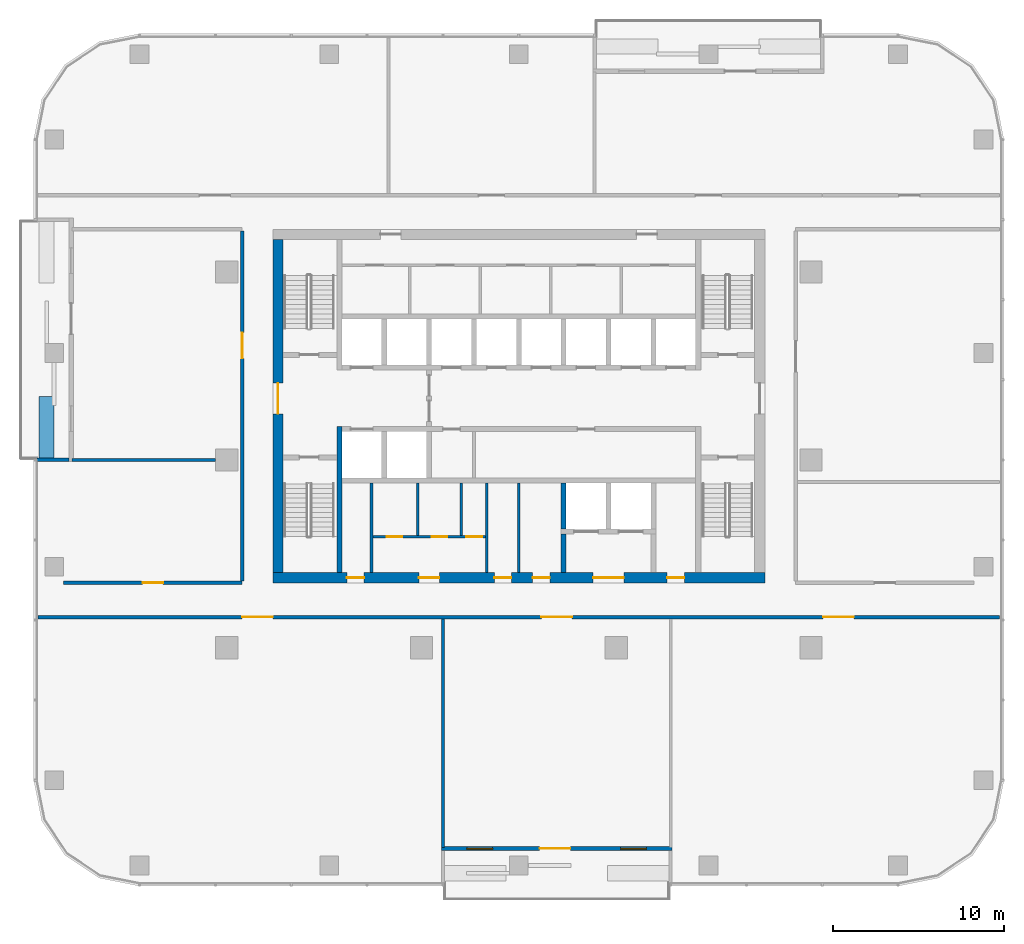
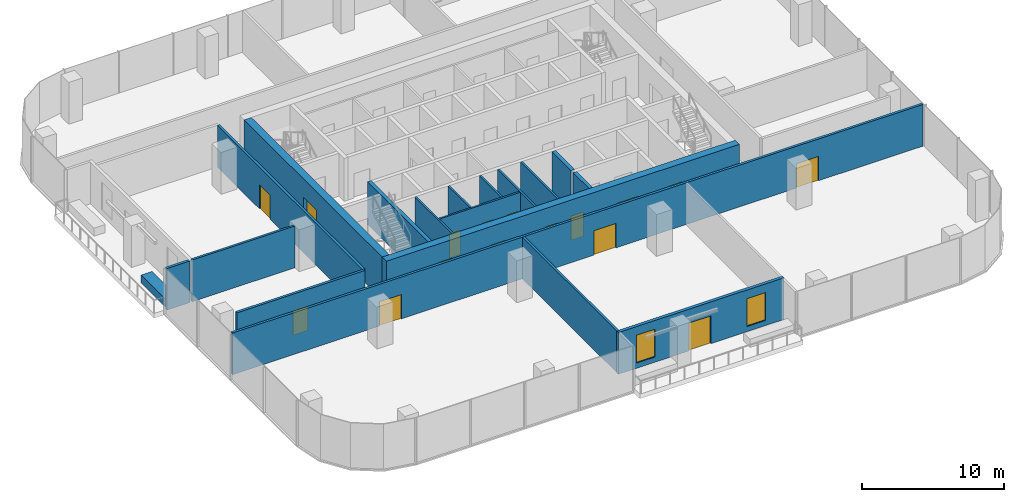
# One storey, part 7 of 14: 19 walls, 16 doors, 2 windows, 18 openings.
"""IFC4 building model written with IfcOpenShell, lengths in metres."""

from ifc_helpers import new_model, si_unit, direction, frame, frame_2d, origin, place, context, subcontext, project, spatial, rectangle, extrude, material, layer, layer_set, type_object, element, fill, save


model = new_model("IFC4")

# Units and contexts
model_context = context("Model", 3, precision=1e-05, world=origin(), true_north=direction((0.0, 1.0)))
body_context = subcontext(model_context, "Body", "Model", "MODEL_VIEW")
ifc_project = project(units=[si_unit("LENGTHUNIT", "METRE"), si_unit("AREAUNIT", "SQUARE_METRE"), si_unit("VOLUMEUNIT", "CUBIC_METRE"), si_unit("PLANEANGLEUNIT", "RADIAN"), si_unit("MASSUNIT", "GRAM", prefix="KILO")], contexts=[model_context])

# Site, building, storey
site_placement = place(None, origin())
site = spatial("IfcSite", under=ifc_project, at=site_placement, CompositionType="ELEMENT")
building_placement = place(site_placement, origin())
building = spatial("IfcBuilding", under=site, at=building_placement, Name="Mopane Tessera Tower", CompositionType="ELEMENT")
storey_placement = place(building_placement, frame((0.0, 0.0, 239.0)))
storey = spatial("IfcBuildingStorey", under=building, at=storey_placement, Name="L51", CompositionType="ELEMENT", Elevation=239.0)

# Wall
ifc_material_1 = material(Name="Fire-rated gypsum board partition")
ifc_layer_1 = layer(ifc_material_1, 0.14990234375)
ifc_layer_set_1 = layer_set([ifc_layer_1], Name="Fire-rated gypsum board partition")
wall_type_1 = type_object("IfcWallType", Name="Core room partition 150 mm", PredefinedType="PARTITIONING", material=ifc_layer_set_1)
wall_1_placement = place(storey_placement, frame((-8.625, -6.60009765625, 0.0), z_axis=(0.0, 0.0, 1.0), x_axis=(0.0, 1.0, 0.0)))
element("IfcWall", 1, at=wall_1_placement, inside=storey, type_object=wall_type_1, Name="L51 Room partition", PredefinedType="PARTITIONING", context=body_context, shape_type="SweptSolid", body=[
    extrude(rectangle(XDim=5.25, YDim=0.14990234375, at=frame_2d((2.625, 0.0))), origin(), (0.0, 0.0, 1.0), 3.699951171875),
])

# Wall, openings, doors
wall_2_placement = place(storey_placement, frame((-8.550048828125, -4.5, 0.0), z_axis=(0.0, 0.0, 1.0), x_axis=(1.0, 0.0, 0.0)))
wall_2 = element("IfcWall", 2, at=wall_2_placement, inside=storey, type_object=wall_type_1, Name="L51 WC partition", PredefinedType="PARTITIONING", context=body_context, shape_type="SweptSolid", body=[
    extrude(rectangle(XDim=6.60009765625, YDim=0.14990234375, at=frame_2d((3.300048828125, 0.0))), origin(), (0.0, 0.0, 1.0), 3.699951171875),
])
opening_1_placement = place(wall_2_placement, frame((0.824951171875, 0.0, 0.0)))
opening_1 = element("IfcOpeningElement", 3, at=opening_1_placement, cuts=wall_2, Name="Opening WD1", PredefinedType="OPENING", context=body_context, shape_type="SweptSolid", body=[
    extrude(rectangle(XDim=0.89990234375, YDim=2.10009765625, at=frame_2d((0.449951171875, 1.050048828125))), frame((0.0, 0.0869140625, 0.0), z_axis=(0.0, -1.0, 0.0), x_axis=(1.0, 0.0, 0.0)), (0.0, 0.0, 1.0), 0.173828125),
])
opening_2_placement = place(wall_2_placement, frame((3.45751953125, 0.0, 0.0)))
opening_2 = element("IfcOpeningElement", 4, at=opening_2_placement, cuts=wall_2, Name="Opening WD1", PredefinedType="OPENING", context=body_context, shape_type="SweptSolid", body=[
    extrude(rectangle(XDim=0.89990234375, YDim=2.10009765625, at=frame_2d((0.449951171875, 1.050048828125))), frame((0.0, 0.0869140625, 0.0), z_axis=(0.0, -1.0, 0.0), x_axis=(1.0, 0.0, 0.0)), (0.0, 0.0, 1.0), 0.173828125),
])
opening_3_placement = place(wall_2_placement, frame((5.45751953125, 0.0, 0.0)))
opening_3 = element("IfcOpeningElement", 5, at=opening_3_placement, cuts=wall_2, Name="Opening WD2", PredefinedType="OPENING", context=body_context, shape_type="SweptSolid", body=[
    extrude(rectangle(XDim=0.949951171875, YDim=2.10009765625, at=frame_2d((0.47509765625, 1.050048828125))), frame((0.0, 0.0869140625, 0.0), z_axis=(0.0, -1.0, 0.0), x_axis=(1.0, 0.0, 0.0)), (0.0, 0.0, 1.0), 0.173828125),
])
ifc_material_2 = material(Name="Timber door", Category="wood")
door_type_1 = type_object("IfcDoorType", Name="Accessible WC door 950 x 2100", OperationType="SINGLE_SWING_LEFT", PredefinedType="DOOR", material=ifc_material_2)
door_1_placement = place(opening_3_placement, origin())
door_1 = element("IfcDoor", 6, at=door_1_placement, inside=storey, type_object=door_type_1, Name="L51 Accessible WC door", OperationType="SINGLE_SWING_LEFT", OverallHeight=2.10009765625, OverallWidth=0.949951171875, PredefinedType="DOOR", context=body_context, shape_type="SweptSolid", body=[
    extrude(rectangle(XDim=0.949951171875, YDim=2.10009765625, at=frame_2d((0.47509765625, 1.050048828125))), frame((0.0, 0.02490234375, 0.0), z_axis=(0.0, -1.0, 0.0), x_axis=(1.0, 0.0, 0.0)), (0.0, 0.0, 1.0), 0.050048828125),
])
fill(opening_3, door_1)
ifc_material_3 = material(Name="Timber door", Category="wood")
door_type_2 = type_object("IfcDoorType", Name="WC cubicle door 900 x 2100", OperationType="SINGLE_SWING_LEFT", PredefinedType="DOOR", material=ifc_material_3)
door_2_placement = place(opening_1_placement, origin())
door_2 = element("IfcDoor", 7, at=door_2_placement, inside=storey, type_object=door_type_2, Name="L51 Men's WC door", OperationType="SINGLE_SWING_LEFT", OverallHeight=2.10009765625, OverallWidth=0.89990234375, PredefinedType="DOOR", context=body_context, shape_type="SweptSolid", body=[
    extrude(rectangle(XDim=0.89990234375, YDim=2.10009765625, at=frame_2d((0.449951171875, 1.050048828125))), frame((0.0, 0.02490234375, 0.0), z_axis=(0.0, -1.0, 0.0), x_axis=(1.0, 0.0, 0.0)), (0.0, 0.0, 1.0), 0.050048828125),
])
fill(opening_1, door_2)
door_3_placement = place(opening_2_placement, origin())
door_3 = element("IfcDoor", 8, at=door_3_placement, inside=storey, type_object=door_type_2, Name="L51 Women's WC door", OperationType="SINGLE_SWING_LEFT", OverallHeight=2.10009765625, OverallWidth=0.89990234375, PredefinedType="DOOR", context=body_context, shape_type="SweptSolid", body=[
    extrude(rectangle(XDim=0.89990234375, YDim=2.10009765625, at=frame_2d((0.449951171875, 1.050048828125))), frame((0.0, 0.02490234375, 0.0), z_axis=(0.0, -1.0, 0.0), x_axis=(1.0, 0.0, 0.0)), (0.0, 0.0, 1.0), 0.050048828125),
])
fill(opening_2, door_3)

# Walls
for number, where, z_axis, x_axis, name in (
    (9, (-5.925048828125, -4.425048828125, 0.0), (0.0, 0.0, 1.0), (0.0, 1.0, 0.0), "L51 WC partition"),
    (10, (-3.360107421875, -4.425048828125, 0.0), (0.0, 0.0, 1.0), (0.0, 1.0, 0.0), "L51 WC partition"),
):
    element("IfcWall", number, at=place(storey_placement, frame(where, z_axis=z_axis, x_axis=x_axis)), inside=storey, type_object=wall_type_1, Name=name, PredefinedType="PARTITIONING", context=body_context, shape_type="SweptSolid", body=[
        extrude(rectangle(XDim=3.074951171875, YDim=0.14990234375, at=frame_2d((1.53759765625, 0.0))), origin(), (0.0, 0.0, 1.0), 3.699951171875),
    ])
for number, where, z_axis, x_axis, name in (
    (11, (-1.875, -6.60009765625, 0.0), (0.0, 0.0, 1.0), (0.0, 1.0, 0.0), "L51 Room partition"),
    (12, (0.0, -6.60009765625, 0.0), (0.0, 0.0, 1.0), (0.0, 1.0, 0.0), "L51 Room partition"),
):
    element("IfcWall", number, at=place(storey_placement, frame(where, z_axis=z_axis, x_axis=x_axis)), inside=storey, type_object=wall_type_1, Name=name, PredefinedType="PARTITIONING", context=body_context, shape_type="SweptSolid", body=[
        extrude(rectangle(XDim=5.25, YDim=0.14990234375, at=frame_2d((2.625, 0.0))), origin(), (0.0, 0.0, 1.0), 3.699951171875),
    ])

# Wall, openings, doors
ifc_material_4 = material(Name="Concrete C70/85", Category="concrete")
ifc_layer_2 = layer(ifc_material_4, 0.60009765625)
ifc_layer_set_2 = layer_set([ifc_layer_2], Name="Concrete C70/85")
wall_type_2 = type_object("IfcWallType", Name="Core shear wall 600 mm", PredefinedType="SHEAR", material=ifc_layer_set_2)
wall_3_placement = place(storey_placement, frame((-14.39990234375, -6.89990234375, 0.0), z_axis=(0.0, 0.0, 1.0), x_axis=(1.0, 0.0, 0.0)))
wall_3 = element("IfcWall", 13, at=wall_3_placement, inside=storey, type_object=wall_type_2, Name="L51 Core wall south", PredefinedType="SHEAR", context=body_context, shape_type="SweptSolid", body=[
    extrude(rectangle(XDim=28.7998046875, YDim=0.60009765625, at=frame_2d((14.39990234375, 0.0))), origin(), (0.0, 0.0, 1.0), 3.699951171875),
])
opening_4_placement = place(wall_3_placement, frame((4.33740234375, 0.0, 0.0)))
opening_4 = element("IfcOpeningElement", 14, at=opening_4_placement, cuts=wall_3, Name="Opening RD1", PredefinedType="OPENING", context=body_context, shape_type="SweptSolid", body=[
    extrude(rectangle(XDim=1.0, YDim=2.10009765625, at=frame_2d((0.5, 1.050048828125))), frame((0.0, 0.31201171875, 0.0), z_axis=(0.0, -1.0, 0.0), x_axis=(1.0, 0.0, 0.0)), (0.0, 0.0, 1.0), 0.6240234375),
])
opening_5_placement = place(wall_3_placement, frame((8.550048828125, 0.0, 0.0)))
opening_5 = element("IfcOpeningElement", 15, at=opening_5_placement, cuts=wall_3, Name="Opening WD3", PredefinedType="OPENING", context=body_context, shape_type="SweptSolid", body=[
    extrude(rectangle(XDim=1.199951171875, YDim=2.10009765625, at=frame_2d((0.60009765625, 1.050048828125))), frame((0.0, 0.31201171875, 0.0), z_axis=(0.0, -1.0, 0.0), x_axis=(1.0, 0.0, 0.0)), (0.0, 0.0, 1.0), 0.6240234375),
])
opening_6_placement = place(wall_3_placement, frame((12.96240234375, 0.0, 0.0)))
opening_6 = element("IfcOpeningElement", 16, at=opening_6_placement, cuts=wall_3, Name="Opening RD1", PredefinedType="OPENING", context=body_context, shape_type="SweptSolid", body=[
    extrude(rectangle(XDim=1.0, YDim=2.10009765625, at=frame_2d((0.5, 1.050048828125))), frame((0.0, 0.31201171875, 0.0), z_axis=(0.0, -1.0, 0.0), x_axis=(1.0, 0.0, 0.0)), (0.0, 0.0, 1.0), 0.6240234375),
])
opening_7_placement = place(wall_3_placement, frame((15.21240234375, 0.0, 0.0)))
opening_7 = element("IfcOpeningElement", 17, at=opening_7_placement, cuts=wall_3, Name="Opening RD1", PredefinedType="OPENING", context=body_context, shape_type="SweptSolid", body=[
    extrude(rectangle(XDim=1.0, YDim=2.10009765625, at=frame_2d((0.5, 1.050048828125))), frame((0.0, 0.31201171875, 0.0), z_axis=(0.0, -1.0, 0.0), x_axis=(1.0, 0.0, 0.0)), (0.0, 0.0, 1.0), 0.6240234375),
])
opening_8_placement = place(wall_3_placement, frame((18.75, 0.0, 0.0)))
opening_8 = element("IfcOpeningElement", 18, at=opening_8_placement, cuts=wall_3, Name="Opening SD2", PredefinedType="OPENING", context=body_context, shape_type="SweptSolid", body=[
    extrude(rectangle(XDim=1.800048828125, YDim=2.10009765625, at=frame_2d((0.89990234375, 1.050048828125))), frame((0.0, 0.31201171875, 0.0), z_axis=(0.0, -1.0, 0.0), x_axis=(1.0, 0.0, 0.0)), (0.0, 0.0, 1.0), 0.6240234375),
])
opening_9_placement = place(wall_3_placement, frame((23.08740234375, 0.0, 0.0)))
opening_9 = element("IfcOpeningElement", 19, at=opening_9_placement, cuts=wall_3, Name="Opening RD1", PredefinedType="OPENING", context=body_context, shape_type="SweptSolid", body=[
    extrude(rectangle(XDim=1.0, YDim=2.10009765625, at=frame_2d((0.5, 1.050048828125))), frame((0.0, 0.31201171875, 0.0), z_axis=(0.0, -1.0, 0.0), x_axis=(1.0, 0.0, 0.0)), (0.0, 0.0, 1.0), 0.6240234375),
])
ifc_material_5 = material(Name="Steel fire door", Category="steel")
door_type_3 = type_object("IfcDoorType", Name="Core entrance double door 1800 x 2100", OperationType="DOUBLE_DOOR_SINGLE_SWING", PredefinedType="DOOR", material=ifc_material_5)
door_4_placement = place(opening_8_placement, origin())
door_4 = element("IfcDoor", 20, at=door_4_placement, inside=storey, type_object=door_type_3, Name="L51 Service lobby door", OperationType="DOUBLE_DOOR_SINGLE_SWING", OverallHeight=2.10009765625, OverallWidth=1.800048828125, PredefinedType="DOOR", context=body_context, shape_type="SweptSolid", body=[
    extrude(rectangle(XDim=1.800048828125, YDim=2.10009765625, at=frame_2d((0.89990234375, 1.050048828125))), frame((0.0, 0.02490234375, 0.0), z_axis=(0.0, -1.0, 0.0), x_axis=(1.0, 0.0, 0.0)), (0.0, 0.0, 1.0), 0.050048828125),
])
fill(opening_8, door_4)
ifc_material_6 = material(Name="Timber door", Category="wood")
door_type_4 = type_object("IfcDoorType", Name="Core room door 1000 x 2100", OperationType="SINGLE_SWING_LEFT", PredefinedType="DOOR", material=ifc_material_6)
door_5_placement = place(opening_4_placement, origin())
door_5 = element("IfcDoor", 21, at=door_5_placement, inside=storey, type_object=door_type_4, Name="L51 Room door", OperationType="SINGLE_SWING_LEFT", OverallHeight=2.10009765625, OverallWidth=1.0, PredefinedType="DOOR", context=body_context, shape_type="SweptSolid", body=[
    extrude(rectangle(XDim=1.0, YDim=2.10009765625, at=frame_2d((0.5, 1.050048828125))), frame((0.0, 0.02490234375, 0.0), z_axis=(0.0, -1.0, 0.0), x_axis=(1.0, 0.0, 0.0)), (0.0, 0.0, 1.0), 0.050048828125),
])
fill(opening_4, door_5)
door_6_placement = place(opening_6_placement, origin())
door_6 = element("IfcDoor", 22, at=door_6_placement, inside=storey, type_object=door_type_4, Name="L51 Room door", OperationType="SINGLE_SWING_LEFT", OverallHeight=2.10009765625, OverallWidth=1.0, PredefinedType="DOOR", context=body_context, shape_type="SweptSolid", body=[
    extrude(rectangle(XDim=1.0, YDim=2.10009765625, at=frame_2d((0.5, 1.050048828125))), frame((0.0, 0.02490234375, 0.0), z_axis=(0.0, -1.0, 0.0), x_axis=(1.0, 0.0, 0.0)), (0.0, 0.0, 1.0), 0.050048828125),
])
fill(opening_6, door_6)
door_7_placement = place(opening_7_placement, origin())
door_7 = element("IfcDoor", 23, at=door_7_placement, inside=storey, type_object=door_type_4, Name="L51 Room door", OperationType="SINGLE_SWING_LEFT", OverallHeight=2.10009765625, OverallWidth=1.0, PredefinedType="DOOR", context=body_context, shape_type="SweptSolid", body=[
    extrude(rectangle(XDim=1.0, YDim=2.10009765625, at=frame_2d((0.5, 1.050048828125))), frame((0.0, 0.02490234375, 0.0), z_axis=(0.0, -1.0, 0.0), x_axis=(1.0, 0.0, 0.0)), (0.0, 0.0, 1.0), 0.050048828125),
])
fill(opening_7, door_7)
door_8_placement = place(opening_9_placement, origin())
door_8 = element("IfcDoor", 24, at=door_8_placement, inside=storey, type_object=door_type_4, Name="L51 Room door", OperationType="SINGLE_SWING_LEFT", OverallHeight=2.10009765625, OverallWidth=1.0, PredefinedType="DOOR", context=body_context, shape_type="SweptSolid", body=[
    extrude(rectangle(XDim=1.0, YDim=2.10009765625, at=frame_2d((0.5, 1.050048828125))), frame((0.0, 0.02490234375, 0.0), z_axis=(0.0, -1.0, 0.0), x_axis=(1.0, 0.0, 0.0)), (0.0, 0.0, 1.0), 0.050048828125),
])
fill(opening_9, door_8)
ifc_material_7 = material(Name="Timber door", Category="wood")
door_type_5 = type_object("IfcDoorType", Name="WC lobby door 1200 x 2100", OperationType="SINGLE_SWING_LEFT", PredefinedType="DOOR", material=ifc_material_7)
door_9_placement = place(opening_5_placement, origin())
door_9 = element("IfcDoor", 25, at=door_9_placement, inside=storey, type_object=door_type_5, Name="L51 WC lobby door", OperationType="SINGLE_SWING_LEFT", OverallHeight=2.10009765625, OverallWidth=1.199951171875, PredefinedType="DOOR", context=body_context, shape_type="SweptSolid", body=[
    extrude(rectangle(XDim=1.199951171875, YDim=2.10009765625, at=frame_2d((0.60009765625, 1.050048828125))), frame((0.0, 0.02490234375, 0.0), z_axis=(0.0, -1.0, 0.0), x_axis=(1.0, 0.0, 0.0)), (0.0, 0.0, 1.0), 0.050048828125),
])
fill(opening_5, door_9)

# Wall, opening, door
wall_4_placement = place(storey_placement, frame((-14.10009765625, -6.60009765625, 0.0), z_axis=(0.0, 0.0, 1.0), x_axis=(0.0, 1.0, 0.0)))
wall_4 = element("IfcWall", 26, at=wall_4_placement, inside=storey, type_object=wall_type_2, Name="L51 Core wall west", PredefinedType="SHEAR", context=body_context, shape_type="SweptSolid", body=[
    extrude(rectangle(XDim=19.5, YDim=0.60009765625, at=frame_2d((9.75, 0.0))), origin(), (0.0, 0.0, 1.0), 3.699951171875),
])
opening_10_placement = place(wall_4_placement, frame((9.300048828125, 0.0, 0.0)))
opening_10 = element("IfcOpeningElement", 27, at=opening_10_placement, cuts=wall_4, Name="Opening SD2", PredefinedType="OPENING", context=body_context, shape_type="SweptSolid", body=[
    extrude(rectangle(XDim=1.800048828125, YDim=2.10009765625, at=frame_2d((0.89990234375, 1.050048828125))), frame((0.0, 0.31201171875, 0.0), z_axis=(0.0, -1.0, 0.0), x_axis=(1.0, 0.0, 0.0)), (0.0, 0.0, 1.0), 0.6240234375),
])
door_10_placement = place(opening_10_placement, origin())
door_10 = element("IfcDoor", 28, at=door_10_placement, inside=storey, type_object=door_type_3, Name="L51 Core entrance door west", OperationType="DOUBLE_DOOR_SINGLE_SWING", OverallHeight=2.10009765625, OverallWidth=1.800048828125, PredefinedType="DOOR", context=body_context, shape_type="SweptSolid", body=[
    extrude(rectangle(XDim=1.800048828125, YDim=2.10009765625, at=frame_2d((0.89990234375, 1.050048828125))), frame((0.0, 0.02490234375, 0.0), z_axis=(0.0, -1.0, 0.0), x_axis=(1.0, 0.0, 0.0)), (0.0, 0.0, 1.0), 0.050048828125),
])
fill(opening_10, door_10)

# Walls
ifc_material_8 = material(Name="Concrete C60/75", Category="concrete")
ifc_layer_3 = layer(ifc_material_8, 0.300048828125)
ifc_layer_set_3 = layer_set([ifc_layer_3], Name="Concrete C60/75")
wall_type_3 = type_object("IfcWallType", Name="Core spine wall 300 mm", PredefinedType="SHEAR", material=ifc_layer_set_3)
wall_5_placement = place(storey_placement, frame((-10.5, -6.60009765625, 0.0), z_axis=(0.0, 0.0, 1.0), x_axis=(0.0, 1.0, 0.0)))
element("IfcWall", 29, at=wall_5_placement, inside=storey, type_object=wall_type_3, Name="L51 Core spine wall", PredefinedType="SHEAR", context=body_context, shape_type="SweptSolid", body=[
    extrude(rectangle(XDim=8.550048828125, YDim=0.300048828125, at=frame_2d((4.27490234375, 0.0))), origin(), (0.0, 0.0, 1.0), 3.699951171875),
])
ifc_material_9 = material(Name="Gypsum board on staggered steel studs, double layer each face, acoustic mineral wool infill", Category="steel")
ifc_layer_4 = layer(ifc_material_9, 0.175048828125)
ifc_layer_set_4 = layer_set([ifc_layer_4], Name="Gypsum board on staggered steel studs, double layer each face, acoustic mineral wool infill")
wall_type_4 = type_object("IfcWallType", Name="Gypsum board acoustic partition 175, rated EI 60", PredefinedType="PARTITIONING", material=ifc_layer_set_4)
wall_6_placement = place(storey_placement, frame((-26.14990234375, 0.0, 0.0), z_axis=(0.0, 0.0, 1.0), x_axis=(1.0, 0.0, 0.0)))
element("IfcWall", 30, at=wall_6_placement, inside=storey, type_object=wall_type_4, Name="Partition L51:004", PredefinedType="PARTITIONING", context=body_context, shape_type="SweptSolid", body=[
    extrude(rectangle(XDim=8.39990234375, YDim=0.175048828125, at=frame_2d((4.199951171875, 0.0))), origin(), (0.0, 0.0, 1.0), 3.60009765625),
])
wall_7_placement = place(storey_placement, frame((-4.43994140625, -22.699951171875, 0.0), z_axis=(0.0, 0.0, 1.0), x_axis=(0.0, 1.0, 0.0)))
element("IfcWall", 31, at=wall_7_placement, inside=storey, type_object=wall_type_4, Name="Partition L51:011", PredefinedType="PARTITIONING", context=body_context, shape_type="SweptSolid", body=[
    extrude(rectangle(XDim=13.39990234375, YDim=0.175048828125, at=frame_2d((6.699951171875, 0.0))), origin(), (0.0, 0.0, 1.0), 3.60009765625),
])

# Wall, openings, doors
ifc_material_10 = material(Name="Gypsum board on steel studs, two layers each face, mineral wool infill", Category="steel")
ifc_layer_5 = layer(ifc_material_10, 0.199951171875)
ifc_layer_set_5 = layer_set([ifc_layer_5], Name="Gypsum board on steel studs, two layers each face, mineral wool infill")
wall_type_5 = type_object("IfcWallType", Name="Gypsum board corridor wall 200, rated EI 60", PredefinedType="PARTITIONING", material=ifc_layer_set_5)
wall_8_placement = place(storey_placement, frame((-28.14990234375, -9.199951171875, 0.0), z_axis=(0.0, 0.0, 1.0), x_axis=(1.0, 0.0, 0.0)))
wall_8 = element("IfcWall", 32, at=wall_8_placement, inside=storey, type_object=wall_type_5, Name="Partition L51:000", PredefinedType="PARTITIONING", context=body_context, shape_type="SweptSolid", body=[
    extrude(rectangle(XDim=56.2998046875, YDim=0.199951171875, at=frame_2d((28.14990234375, 0.0))), origin(), (0.0, 0.0, 1.0), 3.60009765625),
])
opening_11_placement = place(wall_8_placement, frame((29.469970703125, 0.0, 0.0)))
opening_11 = element("IfcOpeningElement", 33, at=opening_11_placement, cuts=wall_8, Name="Opening L51-02", PredefinedType="OPENING", context=body_context, shape_type="SweptSolid", body=[
    extrude(rectangle(XDim=1.800048828125, YDim=2.10009765625, at=frame_2d((0.89990234375, 1.050048828125))), frame((0.0, 0.112060546875, 0.0), z_axis=(0.0, -1.0, 0.0), x_axis=(1.0, 0.0, 0.0)), (0.0, 0.0, 1.0), 0.223876953125),
])
opening_12_placement = place(wall_8_placement, frame((45.965087890625, 0.0, 0.0)))
opening_12 = element("IfcOpeningElement", 34, at=opening_12_placement, cuts=wall_8, Name="Opening L51-06", PredefinedType="OPENING", context=body_context, shape_type="SweptSolid", body=[
    extrude(rectangle(XDim=1.800048828125, YDim=2.10009765625, at=frame_2d((0.89990234375, 1.050048828125))), frame((0.0, 0.112060546875, 0.0), z_axis=(0.0, -1.0, 0.0), x_axis=(1.0, 0.0, 0.0)), (0.0, 0.0, 1.0), 0.223876953125),
])
opening_13_placement = place(wall_8_placement, frame((11.955078125, 0.0, 0.0)))
opening_13 = element("IfcOpeningElement", 35, at=opening_13_placement, cuts=wall_8, Name="Opening L51-09", PredefinedType="OPENING", context=body_context, shape_type="SweptSolid", body=[
    extrude(rectangle(XDim=1.800048828125, YDim=2.10009765625, at=frame_2d((0.89990234375, 1.050048828125))), frame((0.0, 0.112060546875, 0.0), z_axis=(0.0, -1.0, 0.0), x_axis=(1.0, 0.0, 0.0)), (0.0, 0.0, 1.0), 0.223876953125),
])
ifc_material_11 = material(Name="Timber veneered steel-framed fire door", Category="steel")
door_type_6 = type_object("IfcDoorType", Name="Fire door pair FD60 1800 x 2100", OperationType="DOUBLE_DOOR_SINGLE_SWING", PredefinedType="DOOR", material=ifc_material_11)
door_11_placement = place(opening_11_placement, origin())
door_11 = element("IfcDoor", 36, at=door_11_placement, inside=storey, type_object=door_type_6, Name="Door L51-02", ObjectType="D20A", OperationType="DOUBLE_DOOR_SINGLE_SWING", OverallHeight=2.10009765625, OverallWidth=1.800048828125, PredefinedType="DOOR", context=body_context, shape_type="SweptSolid", body=[
    extrude(rectangle(XDim=1.800048828125, YDim=2.10009765625, at=frame_2d((0.89990234375, 1.050048828125))), frame((0.0, 0.02490234375, 0.0), z_axis=(0.0, -1.0, 0.0), x_axis=(1.0, 0.0, 0.0)), (0.0, 0.0, 1.0), 0.050048828125),
])
fill(opening_11, door_11)
door_12_placement = place(opening_12_placement, origin())
door_12 = element("IfcDoor", 37, at=door_12_placement, inside=storey, type_object=door_type_6, Name="Door L51-06", ObjectType="D20A", OperationType="DOUBLE_DOOR_SINGLE_SWING", OverallHeight=2.10009765625, OverallWidth=1.800048828125, PredefinedType="DOOR", context=body_context, shape_type="SweptSolid", body=[
    extrude(rectangle(XDim=1.800048828125, YDim=2.10009765625, at=frame_2d((0.89990234375, 1.050048828125))), frame((0.0, 0.02490234375, 0.0), z_axis=(0.0, -1.0, 0.0), x_axis=(1.0, 0.0, 0.0)), (0.0, 0.0, 1.0), 0.050048828125),
])
fill(opening_12, door_12)
door_13_placement = place(opening_13_placement, origin())
door_13 = element("IfcDoor", 38, at=door_13_placement, inside=storey, type_object=door_type_6, Name="Door L51-09", ObjectType="D20A", OperationType="DOUBLE_DOOR_SINGLE_SWING", OverallHeight=2.10009765625, OverallWidth=1.800048828125, PredefinedType="DOOR", context=body_context, shape_type="SweptSolid", body=[
    extrude(rectangle(XDim=1.800048828125, YDim=2.10009765625, at=frame_2d((0.89990234375, 1.050048828125))), frame((0.0, 0.02490234375, 0.0), z_axis=(0.0, -1.0, 0.0), x_axis=(1.0, 0.0, 0.0)), (0.0, 0.0, 1.0), 0.050048828125),
])
fill(opening_13, door_13)

# Wall, opening, door
wall_9_placement = place(storey_placement, frame((-26.64990234375, -7.199951171875, 0.0), z_axis=(0.0, 0.0, 1.0), x_axis=(1.0, 0.0, 0.0)))
wall_9 = element("IfcWall", 39, at=wall_9_placement, inside=storey, type_object=wall_type_5, Name="Partition L51:001", PredefinedType="PARTITIONING", context=body_context, shape_type="SweptSolid", body=[
    extrude(rectangle(XDim=10.449951171875, YDim=0.199951171875, at=frame_2d((5.22509765625, 0.0))), origin(), (0.0, 0.0, 1.0), 3.60009765625),
])
opening_14_placement = place(wall_9_placement, frame((4.625, 0.0, 0.0)))
opening_14 = element("IfcOpeningElement", 40, at=opening_14_placement, cuts=wall_9, Name="Opening L51-08", PredefinedType="OPENING", context=body_context, shape_type="SweptSolid", body=[
    extrude(rectangle(XDim=1.199951171875, YDim=2.10009765625, at=frame_2d((0.60009765625, 1.050048828125))), frame((0.0, 0.112060546875, 0.0), z_axis=(0.0, -1.0, 0.0), x_axis=(1.0, 0.0, 0.0)), (0.0, 0.0, 1.0), 0.223876953125),
])
ifc_material_12 = material(Name="Timber veneered steel-framed fire door", Category="steel")
door_type_7 = type_object("IfcDoorType", Name="Fire door FD60 1200 x 2100", OperationType="SINGLE_SWING_LEFT", PredefinedType="DOOR", material=ifc_material_12)
door_14_placement = place(opening_14_placement, origin())
door_14 = element("IfcDoor", 41, at=door_14_placement, inside=storey, type_object=door_type_7, Name="Door L51-08", ObjectType="D15A", OperationType="SINGLE_SWING_LEFT", OverallHeight=2.10009765625, OverallWidth=1.199951171875, PredefinedType="DOOR", context=body_context, shape_type="SweptSolid", body=[
    extrude(rectangle(XDim=1.199951171875, YDim=2.10009765625, at=frame_2d((0.60009765625, 1.050048828125))), frame((0.0, 0.02490234375, 0.0), z_axis=(0.0, -1.0, 0.0), x_axis=(1.0, 0.0, 0.0)), (0.0, 0.0, 1.0), 0.050048828125),
])
fill(opening_14, door_14)

wall_10_placement = place(storey_placement, frame((-16.199951171875, -7.10009765625, 0.0), z_axis=(0.0, 0.0, 1.0), x_axis=(0.0, 1.0, 0.0)))
wall_10 = element("IfcWall", 42, at=wall_10_placement, inside=storey, type_object=wall_type_5, Name="Partition L51:009", PredefinedType="PARTITIONING", context=body_context, shape_type="SweptSolid", body=[
    extrude(rectangle(XDim=20.5, YDim=0.199951171875, at=frame_2d((10.25, 0.0))), origin(), (0.0, 0.0, 1.0), 3.60009765625),
])
opening_15_placement = place(wall_10_placement, frame((13.050048828125, 0.0, 0.0)))
opening_15 = element("IfcOpeningElement", 43, at=opening_15_placement, cuts=wall_10, Name="Opening L51-01", PredefinedType="OPENING", context=body_context, shape_type="SweptSolid", body=[
    extrude(rectangle(XDim=1.5, YDim=2.10009765625, at=frame_2d((0.75, 1.050048828125))), frame((0.0, 0.112060546875, 0.0), z_axis=(0.0, -1.0, 0.0), x_axis=(1.0, 0.0, 0.0)), (0.0, 0.0, 1.0), 0.223876953125),
])
ifc_material_13 = material(Name="Timber veneered steel-framed fire door", Category="steel")
door_type_8 = type_object("IfcDoorType", Name="Fire door pair FD60 1500 x 2100", OperationType="DOUBLE_DOOR_SINGLE_SWING", PredefinedType="DOOR", material=ifc_material_13)
door_15_placement = place(opening_15_placement, origin())
door_15 = element("IfcDoor", 44, at=door_15_placement, inside=storey, type_object=door_type_8, Name="Door L51-01", ObjectType="D17A", OperationType="DOUBLE_DOOR_SINGLE_SWING", OverallHeight=2.10009765625, OverallWidth=1.5, PredefinedType="DOOR", context=body_context, shape_type="SweptSolid", body=[
    extrude(rectangle(XDim=1.5, YDim=2.10009765625, at=frame_2d((0.75, 1.050048828125))), frame((0.0, 0.02490234375, 0.0), z_axis=(0.0, -1.0, 0.0), x_axis=(1.0, 0.0, 0.0)), (0.0, 0.0, 1.0), 0.050048828125),
])
fill(opening_15, door_15)

# Walls
ifc_material_14 = material(Name="Concrete C50/60", Category="concrete")
ifc_layer_6 = layer(ifc_material_14, 0.300048828125)
ifc_layer_set_6 = layer_set([ifc_layer_6], Name="Concrete C50/60")
wall_type_6 = type_object("IfcWallType", Name="Lift and stair shaft wall 300 mm", PredefinedType="SOLIDWALL", material=ifc_layer_set_6)
wall_11_placement = place(storey_placement, frame((2.625, -4.050048828125, 0.0), z_axis=(0.0, 0.0, 1.0), x_axis=(0.0, 1.0, 0.0)))
element("IfcWall", 45, at=wall_11_placement, inside=storey, type_object=wall_type_6, Name="L51 Lift shaft wall", PredefinedType="SOLIDWALL", context=body_context, shape_type="SweptSolid", body=[
    extrude(rectangle(XDim=2.699951171875, YDim=0.300048828125, at=frame_2d((1.35009765625, 0.0))), origin(), (0.0, 0.0, 1.0), 3.699951171875),
])
ifc_material_15 = material(Name="Concrete C50/60", Category="concrete")
ifc_layer_7 = layer(ifc_material_15, 0.300048828125)
ifc_layer_set_7 = layer_set([ifc_layer_7], Name="Concrete C50/60")
wall_type_7 = type_object("IfcWallType", Name="Lobby and refuge room wall 300 mm", PredefinedType="SOLIDWALL", material=ifc_layer_set_7)
wall_12_placement = place(storey_placement, frame((2.625, -6.60009765625, 0.0), z_axis=(0.0, 0.0, 1.0), x_axis=(0.0, 1.0, 0.0)))
element("IfcWall", 46, at=wall_12_placement, inside=storey, type_object=wall_type_7, Name="L51 Service lobby wall", PredefinedType="SOLIDWALL", context=body_context, shape_type="SweptSolid", body=[
    extrude(rectangle(XDim=2.25, YDim=0.300048828125, at=frame_2d((1.125, 0.0))), origin(), (0.0, 0.0, 1.0), 3.699951171875),
])
ifc_material_16 = material(Name="Reinforced concrete C32/40 with waterproofing", Category="concrete")
ifc_layer_8 = layer(ifc_material_16, 0.89990234375)
ifc_layer_set_8 = layer_set([ifc_layer_8], Name="Reinforced concrete C32/40 with waterproofing")
wall_type_8 = type_object("IfcWallType", Name="Planter trough 3600 x 900", PredefinedType="STANDARD", material=ifc_layer_set_8)
wall_13_placement = place(storey_placement, frame((-27.64990234375, 3.699951171875, 0.0), z_axis=(0.0, 0.0, 1.0), x_axis=(0.0, -1.0, 0.0)))
element("IfcWall", 47, at=wall_13_placement, inside=storey, type_object=wall_type_8, Name="e:nw:L51:N3:pl1", PredefinedType="STANDARD", context=body_context, shape_type="SweptSolid", body=[
    extrude(rectangle(XDim=3.599853515625, YDim=0.89990234375, at=frame_2d((1.7998046875, 0.0))), origin(), (0.0, 0.0, 1.0), 0.699951171875),
])
ifc_material_17 = material(Name="Blockwork with glazed tile facing", Category="masonry")
ifc_layer_9 = layer(ifc_material_17, 0.199951171875)
ifc_layer_set_9 = layer_set([ifc_layer_9], Name="Blockwork with glazed tile facing")
wall_type_9 = type_object("IfcWallType", Name="Terrace cheek wall 200", PredefinedType="STANDARD", material=ifc_layer_set_9)
wall_14_placement = place(storey_placement, frame((-28.199951171875, 0.0, 0.0), z_axis=(0.0, 0.0, 1.0), x_axis=(1.0, 0.0, 0.0)))
element("IfcWall", 48, at=wall_14_placement, inside=storey, type_object=wall_type_9, Name="e:nw:L51:N3:cheekb", PredefinedType="STANDARD", context=body_context, shape_type="SweptSolid", body=[
    extrude(rectangle(XDim=1.875, YDim=0.199951171875, at=frame_2d((0.9375, 0.0))), origin(), (0.0, 0.0, 1.0), 3.60009765625),
])

# Wall, openings, windows, door
ifc_material_18 = material(Name="Blockwork with ochre glazed tile facing", Category="masonry")
ifc_layer_10 = layer(ifc_material_18, 0.25)
ifc_layer_set_10 = layer_set([ifc_layer_10], Name="Blockwork with ochre glazed tile facing")
wall_type_10 = type_object("IfcWallType", Name="Tile-clad external wall 250, ochre", PredefinedType="STANDARD", material=ifc_layer_set_10)
wall_15_placement = place(storey_placement, frame((-4.5400390625, -22.75, 0.0), z_axis=(0.0, 0.0, 1.0), x_axis=(1.0, 0.0, 0.0)))
wall_15 = element("IfcWall", 49, at=wall_15_placement, inside=storey, type_object=wall_type_10, Name="e:nw:L51:N1:back", PredefinedType="STANDARD", context=body_context, shape_type="SweptSolid", body=[
    extrude(rectangle(XDim=13.52001953125, YDim=0.25, at=frame_2d((6.760009765625, 0.0))), origin(), (0.0, 0.0, 1.0), 3.60009765625),
])
opening_16_placement = place(wall_15_placement, frame((1.5, 0.0, 0.449951171875)))
opening_16 = element("IfcOpeningElement", 50, at=opening_16_placement, cuts=wall_15, Name="Opening NW511A", PredefinedType="OPENING", context=body_context, shape_type="SweptSolid", body=[
    extrude(rectangle(XDim=1.5, YDim=2.39990234375, at=frame_2d((0.75, 1.199951171875))), frame((0.0, 0.136962890625, 0.0), z_axis=(0.0, -1.0, 0.0), x_axis=(1.0, 0.0, 0.0)), (0.0, 0.0, 1.0), 0.27392578125),
])
opening_17_placement = place(wall_15_placement, frame((5.75, 0.0, 0.0)))
opening_17 = element("IfcOpeningElement", 51, at=opening_17_placement, cuts=wall_15, Name="Opening ND511", PredefinedType="OPENING", context=body_context, shape_type="SweptSolid", body=[
    extrude(rectangle(XDim=1.800048828125, YDim=2.39990234375, at=frame_2d((0.89990234375, 1.199951171875))), frame((0.0, 0.136962890625, 0.0), z_axis=(0.0, -1.0, 0.0), x_axis=(1.0, 0.0, 0.0)), (0.0, 0.0, 1.0), 0.27392578125),
])
opening_18_placement = place(wall_15_placement, frame((10.5, 0.0, 0.449951171875)))
opening_18 = element("IfcOpeningElement", 52, at=opening_18_placement, cuts=wall_15, Name="Opening NW511B", PredefinedType="OPENING", context=body_context, shape_type="SweptSolid", body=[
    extrude(rectangle(XDim=1.5, YDim=2.39990234375, at=frame_2d((0.75, 1.199951171875))), frame((0.0, 0.136962890625, 0.0), z_axis=(0.0, -1.0, 0.0), x_axis=(1.0, 0.0, 0.0)), (0.0, 0.0, 1.0), 0.27392578125),
])
ifc_material_19 = material(Name="Clear laminated glass", Category="glass")
window_type = type_object("IfcWindowType", Name="Fixed window 1500 x 2400", PartitioningType="SINGLE_PANEL", PredefinedType="WINDOW", material=ifc_material_19)
window_1_placement = place(opening_16_placement, origin())
window_1 = element("IfcWindow", 53, at=window_1_placement, inside=storey, type_object=window_type, Name="e:nw:L51:N1:win0", OverallHeight=2.39990234375, OverallWidth=1.5, PartitioningType="SINGLE_PANEL", PredefinedType="WINDOW", context=body_context, shape_type="SweptSolid", body=[
    extrude(rectangle(XDim=1.5, YDim=2.39990234375, at=frame_2d((0.75, 1.199951171875))), frame((0.0, 0.030029296875, 0.0), z_axis=(0.0, -1.0, 0.0), x_axis=(1.0, 0.0, 0.0)), (0.0, 0.0, 1.0), 0.06005859375),
])
fill(opening_16, window_1)
window_2_placement = place(opening_18_placement, origin())
window_2 = element("IfcWindow", 54, at=window_2_placement, inside=storey, type_object=window_type, Name="e:nw:L51:N1:win2", OverallHeight=2.39990234375, OverallWidth=1.5, PartitioningType="SINGLE_PANEL", PredefinedType="WINDOW", context=body_context, shape_type="SweptSolid", body=[
    extrude(rectangle(XDim=1.5, YDim=2.39990234375, at=frame_2d((0.75, 1.199951171875))), frame((0.0, 0.030029296875, 0.0), z_axis=(0.0, -1.0, 0.0), x_axis=(1.0, 0.0, 0.0)), (0.0, 0.0, 1.0), 0.06005859375),
])
fill(opening_18, window_2)
ifc_material_20 = material(Name="Aluminium and clear glass", Category="aluminium")
door_type_9 = type_object("IfcDoorType", Name="Terrace double door 1800 x 2400", OperationType="DOUBLE_DOOR_SINGLE_SWING", PredefinedType="DOOR", material=ifc_material_20)
door_16_placement = place(opening_17_placement, origin())
door_16 = element("IfcDoor", 55, at=door_16_placement, inside=storey, type_object=door_type_9, Name="e:nw:L51:N1:door", ObjectType="D1", OperationType="DOUBLE_DOOR_SINGLE_SWING", OverallHeight=2.39990234375, OverallWidth=1.800048828125, PredefinedType="DOOR", context=body_context, shape_type="SweptSolid", body=[
    extrude(rectangle(XDim=1.800048828125, YDim=2.39990234375, at=frame_2d((0.89990234375, 1.199951171875))), frame((0.0, 0.02490234375, 0.0), z_axis=(0.0, -1.0, 0.0), x_axis=(1.0, 0.0, 0.0)), (0.0, 0.0, 1.0), 0.050048828125),
])
fill(opening_17, door_16)

save(model, "model.ifc")
